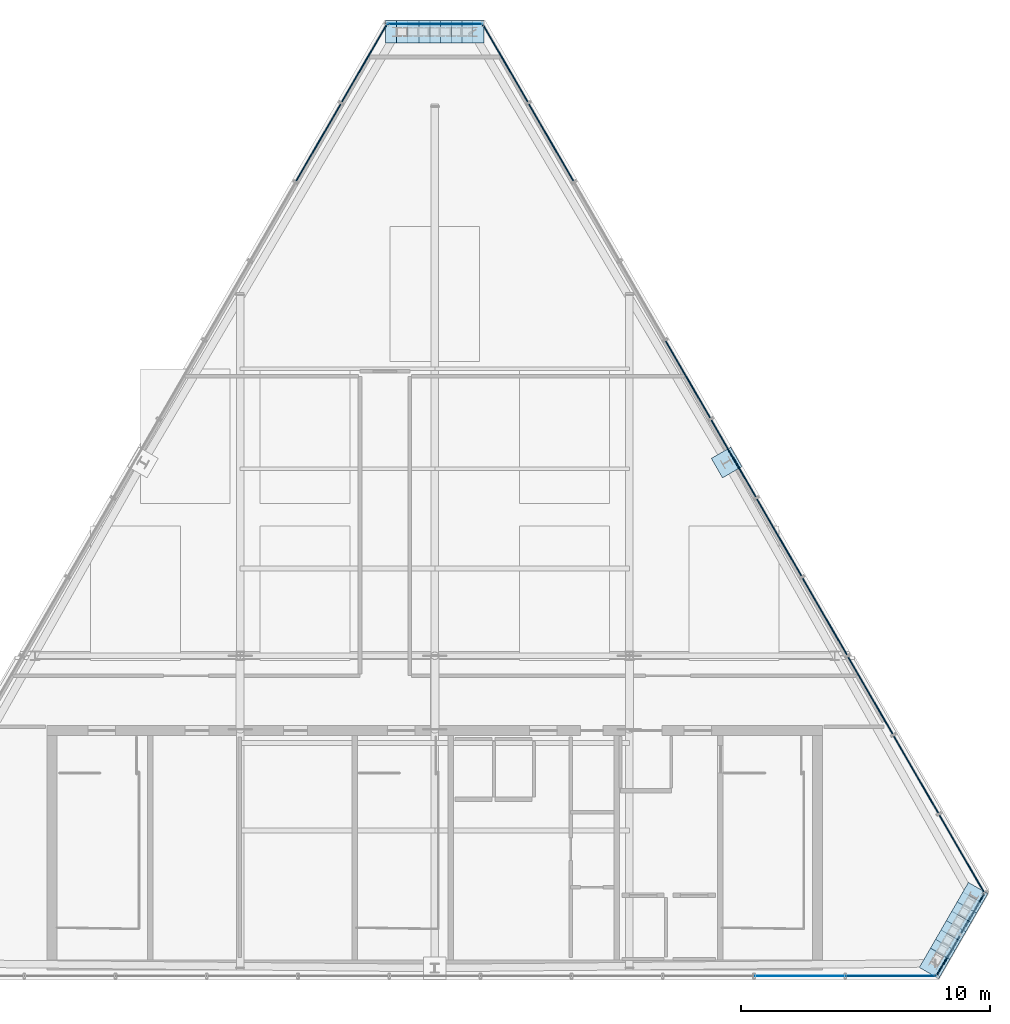
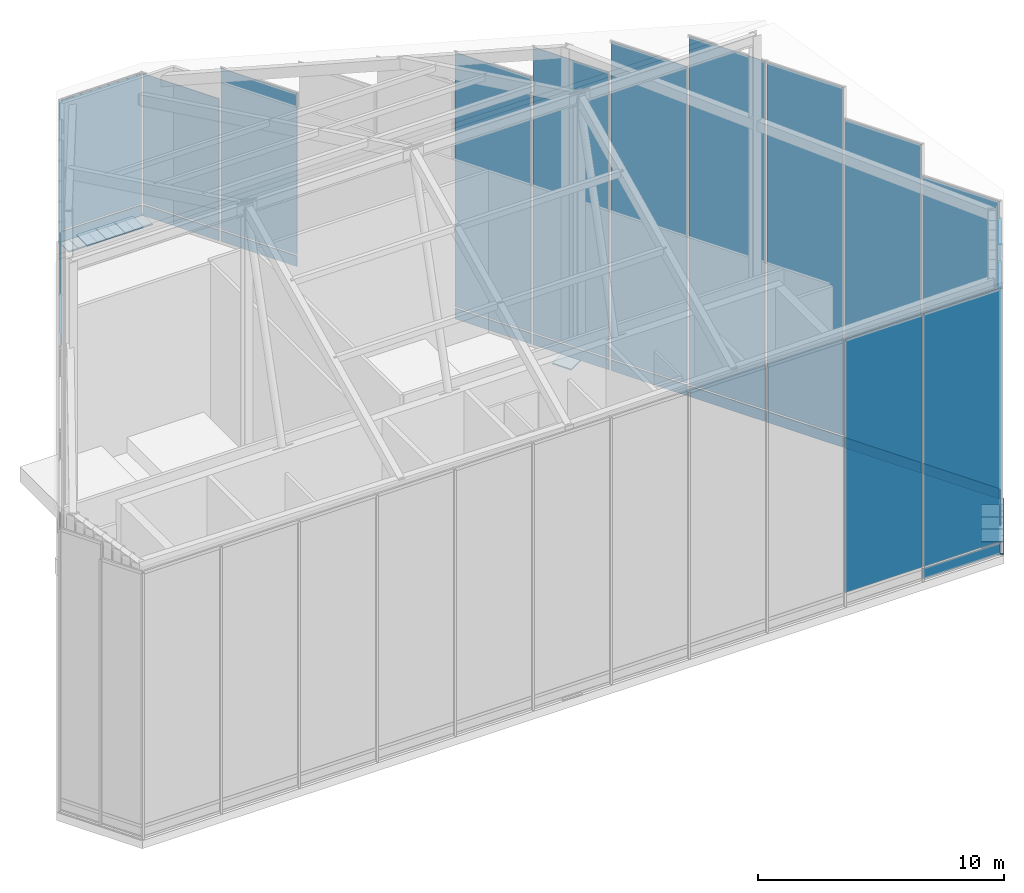
# One storey, part 31 of 36: 48 plates, 15 elements without a shape of their own.
"""IFC4 building model written with IfcOpenShell, lengths in metres."""

from ifc_helpers import new_model, si_unit, direction, frame, origin, origin_2d, place, context, subcontext, project, spatial, rectangle, extrude, material, layer, layer_set, type_object, element, aggregate, save


model = new_model("IFC4")

# Units and contexts
model_context = context("Model", 3, precision=1e-05, world=origin(), true_north=direction((0.0, 1.0)))
body_context = subcontext(model_context, "Body", "Model", "MODEL_VIEW")
ifc_project = project(units=[si_unit("LENGTHUNIT", "METRE"), si_unit("AREAUNIT", "SQUARE_METRE"), si_unit("VOLUMEUNIT", "CUBIC_METRE"), si_unit("PLANEANGLEUNIT", "RADIAN"), si_unit("MASSUNIT", "GRAM", prefix="KILO")], contexts=[model_context])

# Site, building, storey
site_placement = place(None, origin())
site = spatial("IfcSite", under=ifc_project, at=site_placement, CompositionType="ELEMENT")
building_placement = place(site_placement, origin())
building = spatial("IfcBuilding", under=site, at=building_placement, Name="Ndaravel Arena Tower", CompositionType="ELEMENT")
storey_placement = place(building_placement, frame((0.0, 0.0, 308.10009765625)))
storey = spatial("IfcBuildingStorey", under=building, at=storey_placement, Name="Roof Crown", CompositionType="ELEMENT", Elevation=308.10009765625)

# Plates
ifc_material_1 = material(Name="Steel S460", Category="steel")
ifc_layer_1 = layer(ifc_material_1, 0.054931640625)
ifc_layer_set_1 = layer_set([ifc_layer_1], Name="Steel S460")
plate_type_1 = type_object("IfcPlateType", Name="PLT-BASE-BP2", PredefinedType="USERDEFINED", material=ifc_layer_set_1)
for number, where, z_axis, x_axis, name in (
    (1, (62.038818359375, 5.667724609375, 0.0), (0.0, 0.0, 1.0), (0.5, 0.866025403784, 0.0), "Crown Column Base Plate CBP-02"),
    (2, (62.255615234375, 6.04345703125, 0.0), (0.0, 0.0, 1.0), (0.5, 0.866025403784, 0.0), "Crown Column Base Plate CBP-03"),
    (3, (62.472412109375, 6.419189453125, 0.0), (0.0, 0.0, 1.0), (0.5, 0.866025403784, 0.0), "Crown Column Base Plate CBP-04"),
    (4, (62.689453125, 6.794921875, 0.0), (0.0, 0.0, 1.0), (0.5, 0.866025403784, 0.0), "Crown Column Base Plate CBP-05"),
    (5, (62.90625, 7.17041015625, 0.0), (0.0, 0.0, 1.0), (0.5, 0.866025403784, 0.0), "Crown Column Base Plate CBP-06"),
    (6, (63.123046875, 7.546142578125, 0.0), (0.0, 0.0, 1.0), (0.5, 0.866025403784, 0.0), "Crown Column Base Plate CBP-07"),
    (7, (63.340087890625, 7.921630859375, 0.0), (0.0, 0.0, 1.0), (0.5, 0.866025403784, 0.0), "Crown Column Base Plate CBP-08"),
    (8, (63.556884765625, 8.29736328125, 0.0), (0.0, 0.0, 1.0), (0.5, 0.866025403784, 0.0), "Crown Column Base Plate CBP-09"),
    (9, (53.7001953125, 25.745361328125, 0.0), (0.0, 0.0, 1.0), (-0.5, 0.866025403784, 0.0), "Crown Column Base Plate CBP-10"),
    (10, (43.518310546875, 43.00537109375, 0.0), (0.0, 0.0, 1.0), (1.0, 0.0, 0.0), "Crown Column Base Plate CBP-11"),
    (11, (43.08447265625, 43.00537109375, 0.0), (0.0, 0.0, 1.0), (1.0, 0.0, 0.0), "Crown Column Base Plate CBP-12"),
    (12, (42.650634765625, 43.00537109375, 0.0), (0.0, 0.0, 1.0), (1.0, 0.0, 0.0), "Crown Column Base Plate CBP-13"),
    (13, (42.216796875, 43.00537109375, 0.0), (0.0, 0.0, 1.0), (1.0, 0.0, 0.0), "Crown Column Base Plate CBP-14"),
    (14, (41.783203125, 43.00537109375, 0.0), (0.0, 0.0, 1.0), (1.0, 0.0, 0.0), "Crown Column Base Plate CBP-15"),
    (15, (41.349365234375, 43.00537109375, 0.0), (0.0, 0.0, 1.0), (1.0, 0.0, 0.0), "Crown Column Base Plate CBP-16"),
    (16, (40.91552734375, 43.00537109375, 0.0), (0.0, 0.0, 1.0), (1.0, 0.0, 0.0), "Crown Column Base Plate CBP-17"),
    (17, (40.481689453125, 43.00537109375, 0.0), (0.0, 0.0, 1.0), (1.0, 0.0, 0.0), "Crown Column Base Plate CBP-18"),
):
    element("IfcPlate", number, at=place(storey_placement, frame(where, z_axis=z_axis, x_axis=x_axis)), inside=storey, type_object=plate_type_1, Name=name, ObjectType="BASE_PLATE", PredefinedType="USERDEFINED", context=body_context, shape_type="SweptSolid", body=[
        extrude(rectangle(XDim=0.89990234375, YDim=0.89990234375, at=origin_2d()), origin(), (0.0, 0.0, 1.0), 0.054931640625),
    ])

# Curtain wall, plates
ifc_material_2 = material(Name="Aluminium", Category="aluminium")
ifc_layer_2 = layer(ifc_material_2, 0.179931640625)
ifc_layer_set_2 = layer_set([ifc_layer_2], Name="Aluminium")
curtain_wall_type = type_object("IfcCurtainWallType", Name="CW-SYS-06", PredefinedType="NOTDEFINED", material=ifc_layer_set_2)
curtain_wall_1_placement = place(storey_placement, origin())
curtain_wall_1 = element("IfcCurtainWall", 18, at=curtain_wall_1_placement, inside=storey, type_object=curtain_wall_type, Name="Roof Crown Sloped Crown Lantern Curtain Wall CW-CROWN-E01", PredefinedType="NOTDEFINED")
ifc_material_3 = material(Name="Glazing", Category="glass")
ifc_layer_3 = layer(ifc_material_3, 0.0400390625)
ifc_layer_set_3 = layer_set([ifc_layer_3], Name="Glazing")
plate_type_2 = type_object("IfcPlateType", Name="PLT-GLZ-LOWIRON", PredefinedType="CURTAIN_PANEL", material=ifc_layer_set_3)
plate_1_placement = place(storey_placement, frame((56.629150390625, 5.159912109375, 0.64013671875), z_axis=(0.0, 0.0, 1.0), x_axis=(1.0, 0.0, 0.0)))
plate_1 = element("IfcPlate", 19, at=plate_1_placement, type_object=plate_type_2, Name="CW-CROWN-E01 Vision Glass Panel 10", PredefinedType="CURTAIN_PANEL", context=body_context, shape_type="SweptSolid", body=[
    extrude(rectangle(XDim=3.577392578125, YDim=0.035888671875, at=origin_2d()), origin(), (0.0, 0.0, 1.0), 12.528076171875),
])
plate_2_placement = place(storey_placement, frame((60.286376953125, 5.159912109375, 0.64013671875), z_axis=(0.0, 0.0, 1.0), x_axis=(1.0, 0.0, 0.0)))
plate_2 = element("IfcPlate", 20, at=plate_2_placement, type_object=plate_type_2, Name="CW-CROWN-E01 Vision Glass Panel 11", PredefinedType="CURTAIN_PANEL", context=body_context, shape_type="SweptSolid", body=[
    extrude(rectangle(XDim=3.577392578125, YDim=0.035888671875, at=origin_2d()), origin(), (0.0, 0.0, 1.0), 12.528076171875),
])

# Curtain wall, plate
curtain_wall_2_placement = place(storey_placement, origin())
curtain_wall_2 = element("IfcCurtainWall", 21, at=curtain_wall_2_placement, inside=storey, type_object=curtain_wall_type, Name="Roof Crown Sloped Crown Lantern Curtain Wall CW-CROWN-E02-S01", PredefinedType="NOTDEFINED")
plate_3_placement = place(storey_placement, frame((62.594970703125, 5.9912109375, 0.64013671875), z_axis=(0.0, 0.0, 1.0), x_axis=(0.5, 0.866025403784, 0.0)))
plate_3 = element("IfcPlate", 22, at=plate_3_placement, type_object=plate_type_2, Name="CW-CROWN-E02-S01 Vision Glass Panel 01", PredefinedType="CURTAIN_PANEL", context=body_context, shape_type="SweptSolid", body=[
    extrude(rectangle(XDim=1.83984375, YDim=0.035888671875, at=origin_2d()), origin(), (0.0, 0.0, 1.0), 12.528076171875),
])

curtain_wall_3_placement = place(storey_placement, origin())
curtain_wall_3 = element("IfcCurtainWall", 23, at=curtain_wall_3_placement, inside=storey, type_object=curtain_wall_type, Name="Roof Crown Sloped Crown Lantern Curtain Wall CW-CROWN-E02-S02", PredefinedType="NOTDEFINED")
plate_4_placement = place(storey_placement, frame((63.554931640625, 7.65380859375, 0.6396484375), z_axis=(0.0, 0.0, 1.0), x_axis=(0.5, 0.866025403784, 0.0)))
plate_4 = element("IfcPlate", 24, at=plate_4_placement, type_object=plate_type_2, Name="CW-CROWN-E02-S02 Vision Glass Panel 01", PredefinedType="CURTAIN_PANEL", context=body_context, shape_type="SweptSolid", body=[
    extrude(rectangle(XDim=1.83984375, YDim=0.035888671875, at=origin_2d()), origin(), (0.0, 0.0, 1.0), 13.339111328125),
])

curtain_wall_4_placement = place(storey_placement, origin())
curtain_wall_4 = element("IfcCurtainWall", 25, at=curtain_wall_4_placement, inside=storey, type_object=curtain_wall_type, Name="Roof Crown Sloped Crown Lantern Curtain Wall CW-CROWN-E03-S01", PredefinedType="NOTDEFINED")
plate_5_placement = place(storey_placement, frame((63.12060546875, 10.06884765625, 0.639892578125), z_axis=(0.0, 0.0, 1.0), x_axis=(-0.499984884929, 0.866034130299, 0.0)))
plate_5 = element("IfcPlate", 26, at=plate_5_placement, type_object=plate_type_2, Name="CW-CROWN-E03-S01 Vision Glass Panel 01", PredefinedType="CURTAIN_PANEL", context=body_context, shape_type="SweptSolid", body=[
    extrude(rectangle(XDim=3.577392578125, YDim=0.035888671875, at=origin_2d()), origin(), (0.0, 0.0, 1.0), 14.14990234375),
])

curtain_wall_5_placement = place(storey_placement, origin())
curtain_wall_5 = element("IfcCurtainWall", 27, at=curtain_wall_5_placement, inside=storey, type_object=curtain_wall_type, Name="Roof Crown Sloped Crown Lantern Curtain Wall CW-CROWN-E03-S02", PredefinedType="NOTDEFINED")
plate_6_placement = place(storey_placement, frame((61.291748046875, 13.236083984375, 0.64013671875), z_axis=(0.0, 0.0, 1.0), x_axis=(-0.500015114919, 0.866016677006, 0.0)))
plate_6 = element("IfcPlate", 28, at=plate_6_placement, type_object=plate_type_2, Name="CW-CROWN-E03-S02 Vision Glass Panel 01", PredefinedType="CURTAIN_PANEL", context=body_context, shape_type="SweptSolid", body=[
    extrude(rectangle(XDim=3.577392578125, YDim=0.035888671875, at=origin_2d()), origin(), (0.0, 0.0, 1.0), 15.694580078125),
])

curtain_wall_6_placement = place(storey_placement, origin())
curtain_wall_6 = element("IfcCurtainWall", 29, at=curtain_wall_6_placement, inside=storey, type_object=curtain_wall_type, Name="Roof Crown Sloped Crown Lantern Curtain Wall CW-CROWN-E03-S03", PredefinedType="NOTDEFINED")
plate_7_placement = place(storey_placement, frame((59.463134765625, 16.4033203125, 0.64013671875), z_axis=(0.0, 0.0, 1.0), x_axis=(-0.499984884929, 0.866034130299, 0.0)))
plate_7 = element("IfcPlate", 30, at=plate_7_placement, type_object=plate_type_2, Name="CW-CROWN-E03-S03 Vision Glass Panel 01", PredefinedType="CURTAIN_PANEL", context=body_context, shape_type="SweptSolid", body=[
    extrude(rectangle(XDim=3.577392578125, YDim=0.035888671875, at=origin_2d()), origin(), (0.0, 0.0, 1.0), 17.239501953125),
])

curtain_wall_7_placement = place(storey_placement, origin())
curtain_wall_7 = element("IfcCurtainWall", 31, at=curtain_wall_7_placement, inside=storey, type_object=curtain_wall_type, Name="Roof Crown Sloped Crown Lantern Curtain Wall CW-CROWN-E03-S04", PredefinedType="NOTDEFINED")
plate_8_placement = place(storey_placement, frame((57.634521484375, 19.57080078125, 0.64013671875), z_axis=(0.0, 0.0, 1.0), x_axis=(-0.499984884929, 0.866034130299, 0.0)))
plate_8 = element("IfcPlate", 32, at=plate_8_placement, type_object=plate_type_2, Name="CW-CROWN-E03-S04 Vision Glass Panel 01", PredefinedType="CURTAIN_PANEL", context=body_context, shape_type="SweptSolid", body=[
    extrude(rectangle(XDim=3.577392578125, YDim=0.035888671875, at=origin_2d()), origin(), (0.0, 0.0, 1.0), 17.252197265625),
])

curtain_wall_8_placement = place(storey_placement, origin())
curtain_wall_8 = element("IfcCurtainWall", 33, at=curtain_wall_8_placement, inside=storey, type_object=curtain_wall_type, Name="Roof Crown Sloped Crown Lantern Curtain Wall CW-CROWN-E03-S05", PredefinedType="NOTDEFINED")
plate_9_placement = place(storey_placement, frame((55.805908203125, 22.738037109375, 0.64013671875), z_axis=(0.0, 0.0, 1.0), x_axis=(-0.500015114919, 0.866016677006, 0.0)))
plate_9 = element("IfcPlate", 34, at=plate_9_placement, type_object=plate_type_2, Name="CW-CROWN-E03-S05 Vision Glass Panel 01", PredefinedType="CURTAIN_PANEL", context=body_context, shape_type="SweptSolid", body=[
    extrude(rectangle(XDim=3.577392578125, YDim=0.035888671875, at=origin_2d()), origin(), (0.0, 0.0, 1.0), 15.707275390625),
])

curtain_wall_9_placement = place(storey_placement, origin())
curtain_wall_9 = element("IfcCurtainWall", 35, at=curtain_wall_9_placement, inside=storey, type_object=curtain_wall_type, Name="Roof Crown Sloped Crown Lantern Curtain Wall CW-CROWN-E03-S06", PredefinedType="NOTDEFINED")
plate_10_placement = place(storey_placement, frame((53.977294921875, 25.9052734375, 0.639892578125), z_axis=(0.0, 0.0, 1.0), x_axis=(-0.5, 0.866025403784, 0.0)))
plate_10 = element("IfcPlate", 36, at=plate_10_placement, type_object=plate_type_2, Name="CW-CROWN-E03-S06 Vision Glass Panel 01", PredefinedType="CURTAIN_PANEL", context=body_context, shape_type="SweptSolid", body=[
    extrude(rectangle(XDim=3.5771484375, YDim=0.035888671875, at=origin_2d()), origin(), (0.0, 0.0, 1.0), 14.16259765625),
])

curtain_wall_10_placement = place(storey_placement, origin())
curtain_wall_10 = element("IfcCurtainWall", 37, at=curtain_wall_10_placement, inside=storey, type_object=curtain_wall_type, Name="Roof Crown Sloped Crown Lantern Curtain Wall CW-CROWN-E03-S07", PredefinedType="NOTDEFINED")
plate_11_placement = place(storey_placement, frame((52.148681640625, 29.072509765625, 0.639892578125), z_axis=(0.0, 0.0, 1.0), x_axis=(-0.500015114919, 0.866016677006, 0.0)))
plate_11 = element("IfcPlate", 38, at=plate_11_placement, type_object=plate_type_2, Name="CW-CROWN-E03-S07 Vision Glass Panel 01", PredefinedType="CURTAIN_PANEL", context=body_context, shape_type="SweptSolid", body=[
    extrude(rectangle(XDim=3.577392578125, YDim=0.035888671875, at=origin_2d()), origin(), (0.0, 0.0, 1.0), 12.61767578125),
])

curtain_wall_11_placement = place(storey_placement, origin())
curtain_wall_11 = element("IfcCurtainWall", 39, at=curtain_wall_11_placement, inside=storey, type_object=curtain_wall_type, Name="Roof Crown Sloped Crown Lantern Curtain Wall CW-CROWN-E03-S10", PredefinedType="NOTDEFINED")
plate_12_placement = place(storey_placement, frame((46.662841796875, 38.574462890625, 0.639892578125), z_axis=(0.0, 0.0, 1.0), x_axis=(-0.500015114919, 0.866016677006, 0.0)))
plate_12 = element("IfcPlate", 40, at=plate_12_placement, type_object=plate_type_2, Name="CW-CROWN-E03-S10 Vision Glass Panel 01", PredefinedType="CURTAIN_PANEL", context=body_context, shape_type="SweptSolid", body=[
    extrude(rectangle(XDim=3.577392578125, YDim=0.035888671875, at=origin_2d()), origin(), (0.0, 0.0, 1.0), 7.9833984375),
])

curtain_wall_12_placement = place(storey_placement, origin())
curtain_wall_12 = element("IfcCurtainWall", 41, at=curtain_wall_12_placement, inside=storey, type_object=curtain_wall_type, Name="Roof Crown Sloped Crown Lantern Curtain Wall CW-CROWN-E03-S11", PredefinedType="NOTDEFINED")
plate_13_placement = place(storey_placement, frame((44.833984375, 41.74169921875, 0.6396484375), z_axis=(0.0, 0.0, 1.0), x_axis=(-0.499984884929, 0.866034130299, 0.0)))
plate_13 = element("IfcPlate", 42, at=plate_13_placement, type_object=plate_type_2, Name="CW-CROWN-E03-S11 Vision Glass Panel 01", PredefinedType="CURTAIN_PANEL", context=body_context, shape_type="SweptSolid", body=[
    extrude(rectangle(XDim=3.577392578125, YDim=0.035888671875, at=origin_2d()), origin(), (0.0, 0.0, 1.0), 6.438720703125),
])

curtain_wall_13_placement = place(storey_placement, origin())
curtain_wall_13 = element("IfcCurtainWall", 43, at=curtain_wall_13_placement, inside=storey, type_object=curtain_wall_type, Name="Roof Crown Sloped Crown Lantern Curtain Wall CW-CROWN-E04", PredefinedType="NOTDEFINED")
plate_14_placement = place(storey_placement, frame((42.0, 43.325439453125, 0.6396484375), z_axis=(0.0, 0.0, 1.0), x_axis=(-1.0, 0.0, 0.0)))
plate_14 = element("IfcPlate", 44, at=plate_14_placement, type_object=plate_type_2, Name="CW-CROWN-E04 Vision Glass Panel 01", PredefinedType="CURTAIN_PANEL", context=body_context, shape_type="SweptSolid", body=[
    extrude(rectangle(XDim=3.759521484375, YDim=0.035888671875, at=origin_2d()), origin(), (0.0, 0.0, 1.0), 6.438720703125),
])

curtain_wall_14_placement = place(storey_placement, origin())
curtain_wall_14 = element("IfcCurtainWall", 45, at=curtain_wall_14_placement, inside=storey, type_object=curtain_wall_type, Name="Roof Crown Sloped Crown Lantern Curtain Wall CW-CROWN-E05-S01", PredefinedType="NOTDEFINED")
plate_15_placement = place(storey_placement, frame((39.166015625, 41.74169921875, 0.6396484375), z_axis=(0.0, 0.0, 1.0), x_axis=(-0.499984884929, -0.866034130299, 0.0)))
plate_15 = element("IfcPlate", 46, at=plate_15_placement, type_object=plate_type_2, Name="CW-CROWN-E05-S01 Vision Glass Panel 01", PredefinedType="CURTAIN_PANEL", context=body_context, shape_type="SweptSolid", body=[
    extrude(rectangle(XDim=3.577392578125, YDim=0.035888671875, at=origin_2d()), origin(), (0.0, 0.0, 1.0), 6.438720703125),
])

curtain_wall_15_placement = place(storey_placement, origin())
curtain_wall_15 = element("IfcCurtainWall", 47, at=curtain_wall_15_placement, inside=storey, type_object=curtain_wall_type, Name="Roof Crown Sloped Crown Lantern Curtain Wall CW-CROWN-E05-S02", PredefinedType="NOTDEFINED")
plate_16_placement = place(storey_placement, frame((37.337158203125, 38.574462890625, 0.639892578125), z_axis=(0.0, 0.0, 1.0), x_axis=(-0.500015114919, -0.866016677006, 0.0)))
plate_16 = element("IfcPlate", 48, at=plate_16_placement, type_object=plate_type_2, Name="CW-CROWN-E05-S02 Vision Glass Panel 01", PredefinedType="CURTAIN_PANEL", context=body_context, shape_type="SweptSolid", body=[
    extrude(rectangle(XDim=3.577392578125, YDim=0.035888671875, at=origin_2d()), origin(), (0.0, 0.0, 1.0), 7.9833984375),
])

# Plate
ifc_material_4 = material(Name="Aluminium", Category="aluminium")
ifc_layer_4 = layer(ifc_material_4, 0.044921875)
ifc_layer_set_4 = layer_set([ifc_layer_4], Name="Aluminium")
plate_type_3 = type_object("IfcPlateType", Name="PLT-SPANDREL-ALU", PredefinedType="SHEET", material=ifc_layer_set_4)
plate_17_placement = place(storey_placement, frame((60.286376953125, 5.159912109375, 0.039794921875), z_axis=(0.0, 0.0, 1.0), x_axis=(1.0, 0.0, 0.0)))
plate_17 = element("IfcPlate", 49, at=plate_17_placement, type_object=plate_type_3, Name="CW-CROWN-E01 Spandrel Panel 11", PredefinedType="SHEET", context=body_context, shape_type="SweptSolid", body=[
    extrude(rectangle(XDim=3.577392578125, YDim=0.044921875, at=origin_2d()), origin(), (0.0, 0.0, 1.0), 0.52001953125),
])

aggregate(curtain_wall_1, [plate_1, plate_17, plate_2])

plate_18_placement = place(storey_placement, frame((62.594970703125, 5.9912109375, 0.039794921875), z_axis=(0.0, 0.0, 1.0), x_axis=(0.5, 0.866025403784, 0.0)))
plate_18 = element("IfcPlate", 50, at=plate_18_placement, type_object=plate_type_3, Name="CW-CROWN-E02-S01 Spandrel Panel 01", PredefinedType="SHEET", context=body_context, shape_type="SweptSolid", body=[
    extrude(rectangle(XDim=1.83984375, YDim=0.044921875, at=origin_2d()), origin(), (0.0, 0.0, 1.0), 0.52001953125),
])

aggregate(curtain_wall_2, [plate_18, plate_3])

plate_19_placement = place(storey_placement, frame((63.554931640625, 7.65380859375, 0.039794921875), z_axis=(0.0, 0.0, 1.0), x_axis=(0.5, 0.866025403784, 0.0)))
plate_19 = element("IfcPlate", 51, at=plate_19_placement, type_object=plate_type_3, Name="CW-CROWN-E02-S02 Spandrel Panel 01", PredefinedType="SHEET", context=body_context, shape_type="SweptSolid", body=[
    extrude(rectangle(XDim=1.83984375, YDim=0.044921875, at=origin_2d()), origin(), (0.0, 0.0, 1.0), 0.52001953125),
])

aggregate(curtain_wall_3, [plate_19, plate_4])

plate_20_placement = place(storey_placement, frame((63.12060546875, 10.06884765625, 0.039794921875), z_axis=(0.0, 0.0, 1.0), x_axis=(-0.499984884929, 0.866034130299, 0.0)))
plate_20 = element("IfcPlate", 52, at=plate_20_placement, type_object=plate_type_3, Name="CW-CROWN-E03-S01 Spandrel Panel 01", PredefinedType="SHEET", context=body_context, shape_type="SweptSolid", body=[
    extrude(rectangle(XDim=3.577392578125, YDim=0.044921875, at=origin_2d()), origin(), (0.0, 0.0, 1.0), 0.52001953125),
])

aggregate(curtain_wall_4, [plate_20, plate_5])

plate_21_placement = place(storey_placement, frame((61.291748046875, 13.236083984375, 0.039794921875), z_axis=(0.0, 0.0, 1.0), x_axis=(-0.500015114919, 0.866016677006, 0.0)))
plate_21 = element("IfcPlate", 53, at=plate_21_placement, type_object=plate_type_3, Name="CW-CROWN-E03-S02 Spandrel Panel 01", PredefinedType="SHEET", context=body_context, shape_type="SweptSolid", body=[
    extrude(rectangle(XDim=3.577392578125, YDim=0.044921875, at=origin_2d()), origin(), (0.0, 0.0, 1.0), 0.52001953125),
])

aggregate(curtain_wall_5, [plate_21, plate_6])

plate_22_placement = place(storey_placement, frame((59.463134765625, 16.4033203125, 0.039794921875), z_axis=(0.0, 0.0, 1.0), x_axis=(-0.499984884929, 0.866034130299, 0.0)))
plate_22 = element("IfcPlate", 54, at=plate_22_placement, type_object=plate_type_3, Name="CW-CROWN-E03-S03 Spandrel Panel 01", PredefinedType="SHEET", context=body_context, shape_type="SweptSolid", body=[
    extrude(rectangle(XDim=3.577392578125, YDim=0.044921875, at=origin_2d()), origin(), (0.0, 0.0, 1.0), 0.52001953125),
])

aggregate(curtain_wall_6, [plate_22, plate_7])

plate_23_placement = place(storey_placement, frame((57.634521484375, 19.57080078125, 0.039794921875), z_axis=(0.0, 0.0, 1.0), x_axis=(-0.499984884929, 0.866034130299, 0.0)))
plate_23 = element("IfcPlate", 55, at=plate_23_placement, type_object=plate_type_3, Name="CW-CROWN-E03-S04 Spandrel Panel 01", PredefinedType="SHEET", context=body_context, shape_type="SweptSolid", body=[
    extrude(rectangle(XDim=3.577392578125, YDim=0.044921875, at=origin_2d()), origin(), (0.0, 0.0, 1.0), 0.52001953125),
])

aggregate(curtain_wall_7, [plate_23, plate_8])

plate_24_placement = place(storey_placement, frame((55.805908203125, 22.738037109375, 0.039794921875), z_axis=(0.0, 0.0, 1.0), x_axis=(-0.500015114919, 0.866016677006, 0.0)))
plate_24 = element("IfcPlate", 56, at=plate_24_placement, type_object=plate_type_3, Name="CW-CROWN-E03-S05 Spandrel Panel 01", PredefinedType="SHEET", context=body_context, shape_type="SweptSolid", body=[
    extrude(rectangle(XDim=3.577392578125, YDim=0.044921875, at=origin_2d()), origin(), (0.0, 0.0, 1.0), 0.52001953125),
])

aggregate(curtain_wall_8, [plate_24, plate_9])

plate_25_placement = place(storey_placement, frame((53.977294921875, 25.9052734375, 0.039794921875), z_axis=(0.0, 0.0, 1.0), x_axis=(-0.5, 0.866025403784, 0.0)))
plate_25 = element("IfcPlate", 57, at=plate_25_placement, type_object=plate_type_3, Name="CW-CROWN-E03-S06 Spandrel Panel 01", PredefinedType="SHEET", context=body_context, shape_type="SweptSolid", body=[
    extrude(rectangle(XDim=3.5771484375, YDim=0.044921875, at=origin_2d()), origin(), (0.0, 0.0, 1.0), 0.52001953125),
])

aggregate(curtain_wall_9, [plate_25, plate_10])

plate_26_placement = place(storey_placement, frame((52.148681640625, 29.072509765625, 0.039794921875), z_axis=(0.0, 0.0, 1.0), x_axis=(-0.500015114919, 0.866016677006, 0.0)))
plate_26 = element("IfcPlate", 58, at=plate_26_placement, type_object=plate_type_3, Name="CW-CROWN-E03-S07 Spandrel Panel 01", PredefinedType="SHEET", context=body_context, shape_type="SweptSolid", body=[
    extrude(rectangle(XDim=3.577392578125, YDim=0.044921875, at=origin_2d()), origin(), (0.0, 0.0, 1.0), 0.52001953125),
])

aggregate(curtain_wall_10, [plate_26, plate_11])

plate_27_placement = place(storey_placement, frame((46.662841796875, 38.574462890625, 0.039794921875), z_axis=(0.0, 0.0, 1.0), x_axis=(-0.500015114919, 0.866016677006, 0.0)))
plate_27 = element("IfcPlate", 59, at=plate_27_placement, type_object=plate_type_3, Name="CW-CROWN-E03-S10 Spandrel Panel 01", PredefinedType="SHEET", context=body_context, shape_type="SweptSolid", body=[
    extrude(rectangle(XDim=3.577392578125, YDim=0.044921875, at=origin_2d()), origin(), (0.0, 0.0, 1.0), 0.52001953125),
])

aggregate(curtain_wall_11, [plate_27, plate_12])

plate_28_placement = place(storey_placement, frame((44.833984375, 41.74169921875, 0.039794921875), z_axis=(0.0, 0.0, 1.0), x_axis=(-0.499984884929, 0.866034130299, 0.0)))
plate_28 = element("IfcPlate", 60, at=plate_28_placement, type_object=plate_type_3, Name="CW-CROWN-E03-S11 Spandrel Panel 01", PredefinedType="SHEET", context=body_context, shape_type="SweptSolid", body=[
    extrude(rectangle(XDim=3.577392578125, YDim=0.044921875, at=origin_2d()), origin(), (0.0, 0.0, 1.0), 0.52001953125),
])

aggregate(curtain_wall_12, [plate_28, plate_13])

plate_29_placement = place(storey_placement, frame((42.0, 43.325439453125, 0.039794921875), z_axis=(0.0, 0.0, 1.0), x_axis=(-1.0, 0.0, 0.0)))
plate_29 = element("IfcPlate", 61, at=plate_29_placement, type_object=plate_type_3, Name="CW-CROWN-E04 Spandrel Panel 01", PredefinedType="SHEET", context=body_context, shape_type="SweptSolid", body=[
    extrude(rectangle(XDim=3.759521484375, YDim=0.044921875, at=origin_2d()), origin(), (0.0, 0.0, 1.0), 0.52001953125),
])

aggregate(curtain_wall_13, [plate_29, plate_14])

plate_30_placement = place(storey_placement, frame((39.166015625, 41.74169921875, 0.039794921875), z_axis=(0.0, 0.0, 1.0), x_axis=(-0.499984884929, -0.866034130299, 0.0)))
plate_30 = element("IfcPlate", 62, at=plate_30_placement, type_object=plate_type_3, Name="CW-CROWN-E05-S01 Spandrel Panel 01", PredefinedType="SHEET", context=body_context, shape_type="SweptSolid", body=[
    extrude(rectangle(XDim=3.577392578125, YDim=0.044921875, at=origin_2d()), origin(), (0.0, 0.0, 1.0), 0.52001953125),
])

aggregate(curtain_wall_14, [plate_30, plate_15])

plate_31_placement = place(storey_placement, frame((37.337158203125, 38.574462890625, 0.039794921875), z_axis=(0.0, 0.0, 1.0), x_axis=(-0.500015114919, -0.866016677006, 0.0)))
plate_31 = element("IfcPlate", 63, at=plate_31_placement, type_object=plate_type_3, Name="CW-CROWN-E05-S02 Spandrel Panel 01", PredefinedType="SHEET", context=body_context, shape_type="SweptSolid", body=[
    extrude(rectangle(XDim=3.577392578125, YDim=0.044921875, at=origin_2d()), origin(), (0.0, 0.0, 1.0), 0.52001953125),
])

aggregate(curtain_wall_15, [plate_31, plate_16])

save(model, "model.ifc")
